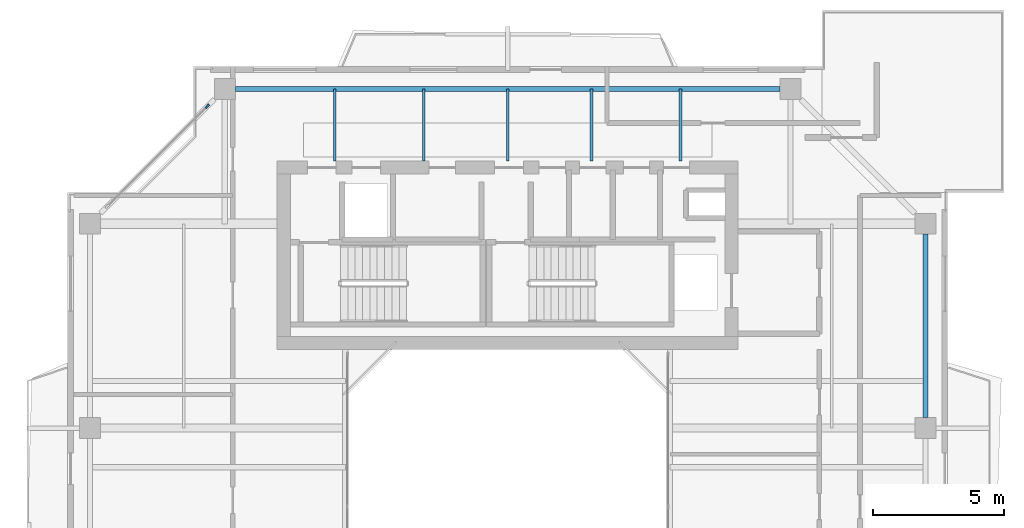
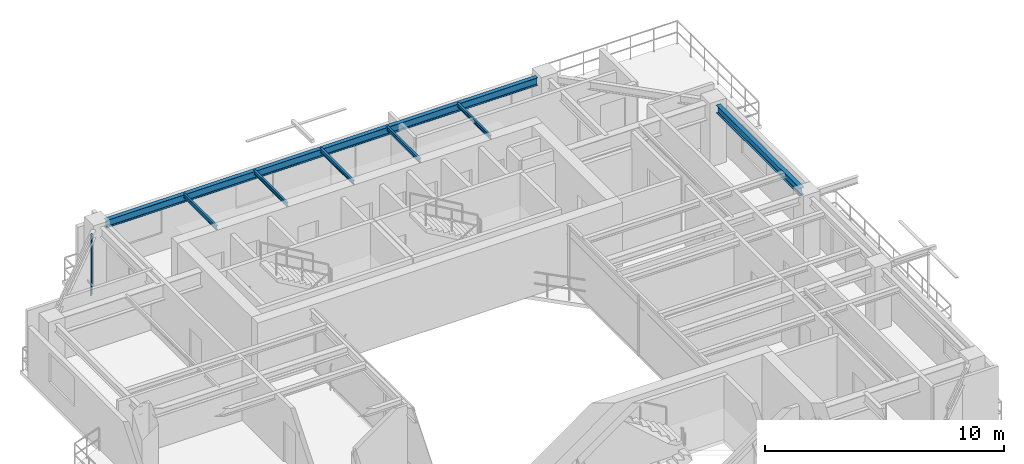
# One storey, part 8 of 16: 7 beams, 1 member, 1 element without a shape of its own.
"""IFC4 building model written with IfcOpenShell, lengths in metres."""

from ifc_helpers import new_model, si_unit, direction, frame, origin, origin_2d, place, context, subcontext, project, spatial, rectangle, i_section, extrude, source, transform, mapped, material, layer, layer_set, material_profile, profile_set, type_object, element, aggregate, save


model = new_model("IFC4")

# Units and contexts
model_context = context("Model", 3, precision=1e-05, world=origin(), true_north=direction((0.0, 1.0)))
body_context = subcontext(model_context, "Body", "Model", "MODEL_VIEW")
ifc_project = project(units=[si_unit("LENGTHUNIT", "METRE"), si_unit("AREAUNIT", "SQUARE_METRE"), si_unit("VOLUMEUNIT", "CUBIC_METRE"), si_unit("PLANEANGLEUNIT", "RADIAN"), si_unit("MASSUNIT", "GRAM", prefix="KILO"), si_unit("THERMODYNAMICTEMPERATUREUNIT", "KELVIN"), si_unit("POWERUNIT", "WATT")], contexts=[model_context])

# Site, building, storey
site_placement = place(None, origin())
site = spatial("IfcSite", under=ifc_project, at=site_placement, CompositionType="ELEMENT")
building_placement = place(site_placement, origin())
building = spatial("IfcBuilding", under=site, at=building_placement, Name="Qiaomeng Ring Towers", CompositionType="ELEMENT")
storey_placement = place(building_placement, frame((0.0, 0.0, 223.0)))
storey = spatial("IfcBuildingStorey", under=building, at=storey_placement, Name="L65", CompositionType="ELEMENT", Elevation=223.0)

# Beams
ifc_material_1 = material(Name="Steel Q355B", Category="steel")
ifc_material_profile_1 = material_profile(ifc_material_1, i_section(OverallWidth=0.198974609375, OverallDepth=0.39599609375, WebThickness=0.007080078125, FlangeThickness=0.010986328125, FilletRadius=0.01611328125, at=origin_2d()), Name="HN 396x199x7x11")
ifc_profile_set_1 = profile_set([ifc_material_profile_1], Name="Steel Q355B")
beam_type_1 = type_object("IfcBeamType", Name="STR-BM-HN396", PredefinedType="SPANDREL", material=ifc_profile_set_1)
shared_shape_1 = source(origin(), body_context, "Body", "SweptSolid", [
    extrude(i_section(OverallWidth=0.198974609375, OverallDepth=0.39599609375, WebThickness=0.007080078125, FlangeThickness=0.010986328125, FilletRadius=0.01611328125, at=origin_2d()), origin(), (0.0, 0.0, 1.0), 20.8017578125),
])
beam_1_placement = place(storey_placement, frame((29.40087890625, 38.949951171875, 2.8720703125), z_axis=(-1.0, 0.0, 0.0), x_axis=(0.0, -1.0, 0.0)))
element("IfcBeam", 1, at=beam_1_placement, inside=storey, type_object=beam_type_1, Name="L65 beam STR-SP-L65-T1-N2-N1", PredefinedType="SPANDREL", context=body_context, shape_type="MappedRepresentation", body=[
    mapped(shared_shape_1, transform((0.0, 0.0, 0.0), x_axis=(1.0, 0.0, 0.0), y_axis=(0.0, 1.0, 0.0), z_axis=(0.0, 0.0, 1.0), scale=1.0)),
])
shared_shape_2 = source(origin(), body_context, "Body", "SweptSolid", [
    extrude(i_section(OverallWidth=0.198974609375, OverallDepth=0.39599609375, WebThickness=0.007080078125, FlangeThickness=0.010986328125, FilletRadius=0.01611328125, at=origin_2d()), origin(), (0.0, 0.0, 1.0), 7.001953125),
])
beam_2_placement = place(storey_placement, frame((34.949951171875, 26.39892578125, 2.8720703125), z_axis=(0.0, 1.0, 0.0), x_axis=(-1.0, 0.0, 0.0)))
element("IfcBeam", 2, at=beam_2_placement, inside=storey, type_object=beam_type_1, Name="L65 beam STR-SP-L65-T1-E3-E4", PredefinedType="SPANDREL", context=body_context, shape_type="MappedRepresentation", body=[
    mapped(shared_shape_2, transform((0.0, 0.0, 0.0), x_axis=(1.0, 0.0, 0.0), y_axis=(0.0, 1.0, 0.0), z_axis=(0.0, 0.0, 1.0), scale=1.0)),
])
ifc_material_profile_2 = material_profile(ifc_material_1, i_section(OverallWidth=0.10009765625, OverallDepth=0.199951171875, WebThickness=0.005615234375, FlangeThickness=0.008056640625, FilletRadius=0.010986328125, at=origin_2d()), Name="HN 200x100x5.5x8")
ifc_profile_set_2 = profile_set([ifc_material_profile_2], Name="Steel Q355B")
beam_type_2 = type_object("IfcBeamType", Name="STR-BM-HN200", PredefinedType="JOIST", material=ifc_profile_set_2)
shared_shape_3 = source(origin(), body_context, "Body", "SweptSolid", [
    extrude(i_section(OverallWidth=0.10009765625, OverallDepth=0.199951171875, WebThickness=0.005615234375, FlangeThickness=0.008056640625, FilletRadius=0.010986328125, at=origin_2d()), origin(), (0.0, 0.0, 1.0), 2.75),
])
for number, where, z_axis, x_axis, name in (
    (3, (12.39990234375, 36.199951171875, 2.969970703125), (0.0, 1.0, 0.0), (-1.0, 0.0, 0.0), "L65 beam STR-JST-L65-T1N-1"),
    (4, (15.800048828125, 36.199951171875, 2.969970703125), (0.0, 1.0, 0.0), (-1.0, 0.0, 0.0), "L65 beam STR-JST-L65-T1N-2"),
    (5, (19.0, 36.199951171875, 2.969970703125), (0.0, 1.0, 0.0), (-1.0, 0.0, 0.0), "L65 beam STR-JST-L65-T1N-3"),
    (6, (22.199951171875, 36.199951171875, 2.969970703125), (0.0, 1.0, 0.0), (-1.0, 0.0, 0.0), "L65 beam STR-JST-L65-T1N-4"),
    (7, (25.60009765625, 36.199951171875, 2.969970703125), (0.0, 1.0, 0.0), (-1.0, 0.0, 0.0), "L65 beam STR-JST-L65-T1N-5"),
):
    element("IfcBeam", number, at=place(storey_placement, frame(where, z_axis=z_axis, x_axis=x_axis)), inside=storey, type_object=beam_type_2, Name=name, PredefinedType="JOIST", context=body_context, shape_type="MappedRepresentation", body=[
        mapped(shared_shape_3, transform((0.0, 0.0, 0.0), x_axis=(1.0, 0.0, 0.0), y_axis=(0.0, 1.0, 0.0), z_axis=(0.0, 0.0, 1.0), scale=1.0)),
    ])

# Curtain wall, member
ifc_material_2 = material(Name="Fluorocarbon dark-grey aluminium", Category="aluminium")
ifc_layer = layer(ifc_material_2, 0.14990234375, Name="Fluorocarbon dark-grey aluminium")
ifc_layer_set = layer_set([ifc_layer], Name="Fluorocarbon dark-grey aluminium")
curtain_wall_type = type_object("IfcCurtainWallType", Name="ARC-CW-3", PredefinedType="NOTDEFINED", material=ifc_layer_set)
curtain_wall_placement = place(storey_placement, origin())
curtain_wall = element("IfcCurtainWall", 8, at=curtain_wall_placement, inside=storey, type_object=curtain_wall_type, Name="L65 Curtain Wall CW3", PredefinedType="NOTDEFINED")
ifc_material_profile_3 = material_profile(ifc_material_2, rectangle(XDim=0.070068359375, YDim=0.179931640625, at=origin_2d()), Name="ALU MULL 70x180")
ifc_profile_set_3 = profile_set([ifc_material_profile_3], Name="Fluorocarbon dark-grey aluminium")
member_type = type_object("IfcMemberType", Name="ARC-CWM-160", PredefinedType="MULLION", material=ifc_profile_set_3)
shared_shape_4 = source(origin(), body_context, "Body", "SweptSolid", [
    extrude(rectangle(XDim=0.070068359375, YDim=0.179931640625, at=origin_2d()), origin(), (0.0, 0.0, 1.0), 3.070068359375),
])
member_placement = place(storey_placement, frame((7.53515625, 38.28515625, 0.0), z_axis=(0.0, 0.0, 1.0), x_axis=(0.707106781187, -0.707106781187, 0.0)))
member = element("IfcMember", 9, at=member_placement, type_object=member_type, Name="CW3 mullion 1", PredefinedType="MULLION", context=body_context, shape_type="MappedRepresentation", body=[
    mapped(shared_shape_4, transform((0.0, 0.0, 0.0), x_axis=(1.0, 0.0, 0.0), y_axis=(0.0, 1.0, 0.0), z_axis=(0.0, 0.0, 1.0), scale=1.0)),
])
aggregate(curtain_wall, [member])

save(model, "model.ifc")
